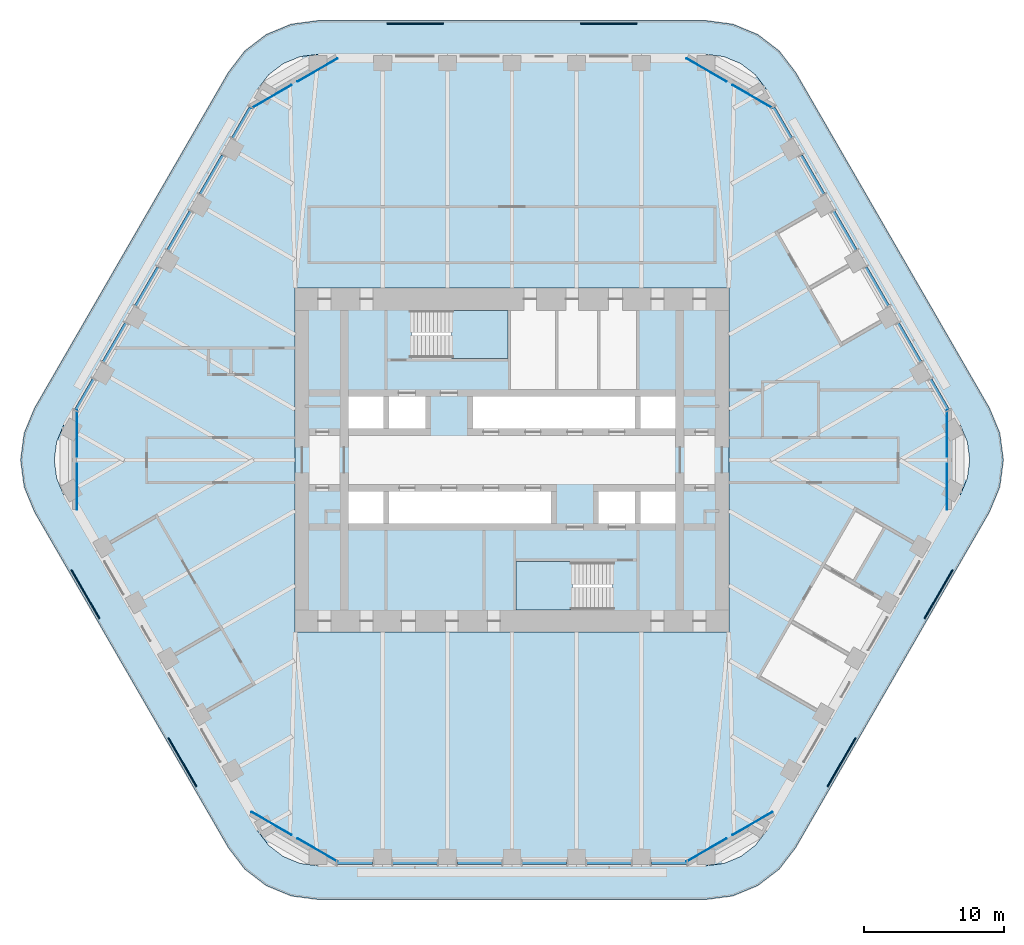
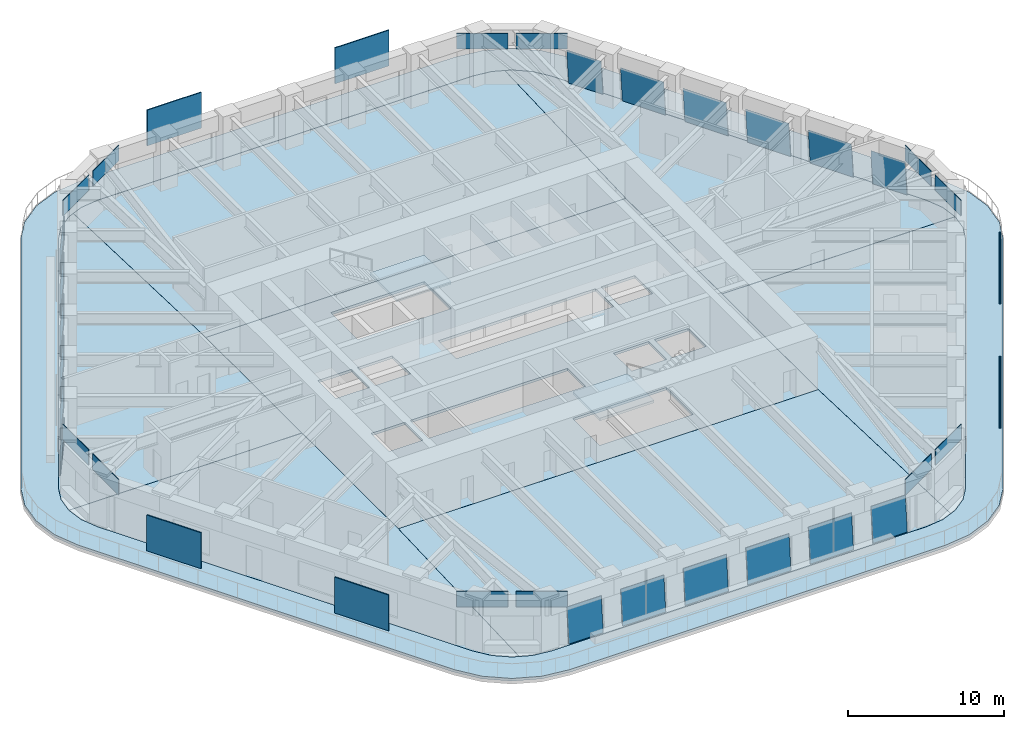
# One storey, part 13 of 20: 36 plates, 10 slabs, 20 elements without a shape of their own.
"""IFC4 building model written with IfcOpenShell, lengths in metres."""

from ifc_helpers import new_model, si_unit, direction, frame, origin, origin_2d, place, context, subcontext, project, spatial, polyline, rectangle, outline, extrude, material, layer, layer_set, type_object, element, aggregate, save


model = new_model("IFC4")

# Units and contexts
model_context = context("Model", 3, precision=1e-05, world=origin(), true_north=direction((0.0, 1.0)))
body_context = subcontext(model_context, "Body", "Model", "MODEL_VIEW")
ifc_project = project(units=[si_unit("LENGTHUNIT", "METRE"), si_unit("AREAUNIT", "SQUARE_METRE"), si_unit("VOLUMEUNIT", "CUBIC_METRE"), si_unit("PLANEANGLEUNIT", "RADIAN"), si_unit("MASSUNIT", "GRAM", prefix="KILO")], contexts=[model_context])

# Site, building, storey
site_placement = place(None, origin())
site = spatial("IfcSite", under=ifc_project, at=site_placement, CompositionType="ELEMENT")
building_placement = place(site_placement, origin())
building = spatial("IfcBuilding", under=site, at=building_placement, Name="Tarfa Lantern Tower", CompositionType="ELEMENT")
storey_placement = place(building_placement, frame((0.0, 0.0, 253.300048828125)))
storey = spatial("IfcBuildingStorey", under=building, at=storey_placement, Name="L57", CompositionType="ELEMENT", Elevation=253.300048828125)

# Slab
ifc_material_1 = material(Name="Concrete C40/50", Category="concrete")
ifc_layer_1 = layer(ifc_material_1, 0.199951171875)
ifc_layer_set_1 = layer_set([ifc_layer_1], Name="BS2 BALCONY SLAB 200")
slab_type_1 = type_object("IfcSlabType", Name="BS2 BALCONY SLAB 200", PredefinedType="FLOOR", material=ifc_layer_set_1)
slab_1_placement = place(storey_placement, frame((0.0, 0.0, -0.199951171875)))
element("IfcSlab", 1, at=slab_1_placement, inside=storey, type_object=slab_type_1, Name="Balcony L57", PredefinedType="FLOOR", context=body_context, shape_type="SweptSolid", body=[
    extrude(outline(polyline([(34.121337890625, 3.699951171875), (20.264892578125, 27.699951171875), (19.089111328125, 29.232666015625), (17.556396484375, 30.40869140625), (15.771728515625, 31.14794921875), (13.8564453125, 31.39990234375), (-13.8564453125, 31.39990234375), (-15.771728515625, 31.14794921875), (-17.556396484375, 30.40869140625), (-19.089111328125, 29.232666015625), (-20.264892578125, 27.699951171875), (-34.121337890625, 3.699951171875), (-34.860595703125, 1.915283203125), (-35.11279296875, 0.0), (-34.860595703125, -1.915283203125), (-34.121337890625, -3.699951171875), (-20.264892578125, -27.699951171875), (-19.089111328125, -29.232666015625), (-17.556396484375, -30.40869140625), (-15.771728515625, -31.14794921875), (-13.8564453125, -31.39990234375), (13.8564453125, -31.39990234375), (15.771728515625, -31.14794921875), (17.556396484375, -30.40869140625), (19.089111328125, -29.232666015625), (20.264892578125, -27.699951171875), (34.121337890625, -3.699951171875), (34.860595703125, -1.915283203125), (35.11279296875, 0.0), (34.860595703125, 1.915283203125), (34.121337890625, 3.699951171875)]), holes=[polyline([(32.04296875, 2.5), (18.1865234375, 26.5), (17.391845703125, 27.53564453125), (16.3564453125, 28.330078125), (15.150390625, 28.82958984375), (13.8564453125, 29.0), (-13.8564453125, 29.0), (-15.150390625, 28.82958984375), (-16.3564453125, 28.330078125), (-17.391845703125, 27.53564453125), (-18.1865234375, 26.5), (-32.04296875, 2.5), (-32.54248046875, 1.294189453125), (-32.712890625, 0.0), (-32.54248046875, -1.294189453125), (-32.04296875, -2.5), (-18.1865234375, -26.5), (-17.391845703125, -27.53564453125), (-16.3564453125, -28.330078125), (-15.150390625, -28.82958984375), (-13.8564453125, -29.0), (13.8564453125, -29.0), (15.150390625, -28.82958984375), (16.3564453125, -28.330078125), (17.391845703125, -27.53564453125), (18.1865234375, -26.5), (32.04296875, -2.5), (32.54248046875, -1.294189453125), (32.712890625, 0.0), (32.54248046875, 1.294189453125), (32.04296875, 2.5)])]), origin(), (0.0, 0.0, 1.0), 0.199951171875),
])

# Curtain wall, plate
ifc_material_2 = material(Name="Aluminium framed curtain wall", Category="aluminium")
curtain_wall_type = type_object("IfcCurtainWallType", Name="CW3 CANTED GLAZING HIGH ZONE 2800", PredefinedType="USERDEFINED", material=ifc_material_2)
curtain_wall_1_placement = place(storey_placement, origin())
curtain_wall_1 = element("IfcCurtainWall", 2, at=curtain_wall_1_placement, inside=storey, type_object=curtain_wall_type, Name="CW3 NE L57", ObjectType="CURTAIN WALL", PredefinedType="USERDEFINED")
ifc_material_3 = material(Name="Laminated double glazing", Category="glass")
ifc_layer_2 = layer(ifc_material_3, 0.028076171875)
ifc_layer_set_2 = layer_set([ifc_layer_2], Name="CWP1 DOUBLE GLAZED PANEL")
plate_type_1 = type_object("IfcPlateType", Name="CWP1 DOUBLE GLAZED PANEL", PredefinedType="CURTAIN_PANEL", material=ifc_layer_set_2)
plate_1_placement = place(storey_placement, frame((31.27392578125, 3.632080078125, 0.0), z_axis=(0.862597202966, 0.498009566603, 0.088952442392), x_axis=(-0.499991881437, 0.866030090981, 3.689153e-06)))
plate_1 = element("IfcPlate", 3, at=plate_1_placement, type_object=plate_type_1, Name="CW3 panel 1.1", PredefinedType="CURTAIN_PANEL", context=body_context, shape_type="SweptSolid", body=[
    extrude(outline(polyline([(0.0, 0.0), (2.5389220661234546, 1.3877787807814457e-17), (2.538926765762203, 2.7457383666676773), (0.0001267679691771074, 2.745757173712244), (0.0, 0.0)])), origin(), (0.0, 0.0, -1.0), 0.028076171875),
])
aggregate(curtain_wall_1, [plate_1])

curtain_wall_2_placement = place(storey_placement, origin())
curtain_wall_2 = element("IfcCurtainWall", 4, at=curtain_wall_2_placement, inside=storey, type_object=curtain_wall_type, Name="CW3 NE L57", ObjectType="CURTAIN WALL", PredefinedType="USERDEFINED")
plate_2_placement = place(storey_placement, frame((29.28955078125, 7.069091796875, 0.0), z_axis=(0.86260842552, 0.497990127551, 0.088952442822), x_axis=(-0.499972306885, 0.866041391816, 2.937194e-06)))
plate_2 = element("IfcPlate", 5, at=plate_2_placement, type_object=plate_type_1, Name="CW3 panel 1.1", PredefinedType="CURTAIN_PANEL", context=body_context, shape_type="SweptSolid", body=[
    extrude(outline(polyline([(0.0, 0.0), (3.1889598048081567, 1.3877787807814457e-17), (3.1889569298809066, 2.745738366670142), (0.00011918862423585502, 2.745757174051659), (0.0, 0.0)])), origin(), (0.0, 0.0, -1.0), 0.028076171875),
])
aggregate(curtain_wall_2, [plate_2])

curtain_wall_3_placement = place(storey_placement, origin())
curtain_wall_3 = element("IfcCurtainWall", 6, at=curtain_wall_3_placement, inside=storey, type_object=curtain_wall_type, Name="CW3 NE L57", ObjectType="CURTAIN WALL", PredefinedType="USERDEFINED")
plate_3_placement = place(storey_placement, frame((26.97998046875, 11.069091796875, 0.0), z_axis=(0.86260842552, 0.497990127551, 0.088952442822), x_axis=(-0.499971852533, 0.866041654117, -2.937306e-06)))
plate_3 = element("IfcPlate", 7, at=plate_3_placement, type_object=plate_type_1, Name="CW3 panel 1.1", PredefinedType="CURTAIN_PANEL", context=body_context, shape_type="SweptSolid", body=[
    extrude(outline(polyline([(0.0, 0.0), (3.1888377413121325, -1.3877787807814457e-17), (3.188940735790751, 2.745757174706863), (-1.9068961940963056e-05, 2.7457383666054302), (0.0, 0.0)])), origin(), (0.0, 0.0, -1.0), 0.028076171875),
])
aggregate(curtain_wall_3, [plate_3])

curtain_wall_4_placement = place(storey_placement, origin())
curtain_wall_4 = element("IfcCurtainWall", 8, at=curtain_wall_4_placement, inside=storey, type_object=curtain_wall_type, Name="CW3 NE L57", ObjectType="CURTAIN WALL", PredefinedType="USERDEFINED")
plate_4_placement = place(storey_placement, frame((24.670654296875, 15.069091796875, 0.0), z_axis=(0.862594869705, 0.498020429106, 0.088914244931), x_axis=(-0.500000789788, 0.8660249478, 0.0)))
plate_4 = element("IfcPlate", 9, at=plate_4_placement, type_object=plate_type_1, Name="CW3 panel 1.1", PredefinedType="CURTAIN_PANEL", context=body_context, shape_type="SweptSolid", body=[
    extrude(outline(polyline([(0.0, 0.0), (3.1889598065466314, 4.163336342344337e-17), (3.1889569281424333, 2.7457383686892407), (-2.8784041983250337e-06, 2.7457383686892407), (0.0, 0.0)])), origin(), (0.0, 0.0, -1.0), 0.028076171875),
])
aggregate(curtain_wall_4, [plate_4])

curtain_wall_5_placement = place(storey_placement, origin())
curtain_wall_5 = element("IfcCurtainWall", 10, at=curtain_wall_5_placement, inside=storey, type_object=curtain_wall_type, Name="CW3 NE L57", ObjectType="CURTAIN WALL", PredefinedType="USERDEFINED")
plate_5_placement = place(storey_placement, frame((22.361328125, 19.069091796875, 0.0), z_axis=(0.86260842552, 0.497990127551, 0.088952442822), x_axis=(-0.499972306885, 0.866041391816, 2.937194e-06)))
plate_5 = element("IfcPlate", 11, at=plate_5_placement, type_object=plate_type_1, Name="CW3 panel 1.1", PredefinedType="CURTAIN_PANEL", context=body_context, shape_type="SweptSolid", body=[
    extrude(outline(polyline([(0.0, 0.0), (3.1889598048081567, 1.3877787807814457e-17), (3.1889569298809066, 2.745738366670142), (0.00011918862423585502, 2.745757174051659), (0.0, 0.0)])), origin(), (0.0, 0.0, -1.0), 0.028076171875),
])
aggregate(curtain_wall_5, [plate_5])

curtain_wall_6_placement = place(storey_placement, origin())
curtain_wall_6 = element("IfcCurtainWall", 12, at=curtain_wall_6_placement, inside=storey, type_object=curtain_wall_type, Name="CW3 NE L57", ObjectType="CURTAIN WALL", PredefinedType="USERDEFINED")
plate_6_placement = place(storey_placement, frame((20.0517578125, 23.069091796875, 0.0), z_axis=(0.86262089324, 0.497975352427, 0.088914244756), x_axis=(-0.499955533855, 0.866051074803, 0.0)))
plate_6 = element("IfcPlate", 13, at=plate_6_placement, type_object=plate_type_1, Name="CW3 panel 1.1", PredefinedType="CURTAIN_PANEL", context=body_context, shape_type="SweptSolid", body=[
    extrude(outline(polyline([(0.0, 0.0), (2.538800000046309, 1.3877787807814457e-17), (2.538784364039763, 2.745738368646229), (-1.5636006546276837e-05, 2.745738368646229), (0.0, 0.0)])), origin(), (0.0, 0.0, -1.0), 0.028076171875),
])
aggregate(curtain_wall_6, [plate_6])

curtain_wall_7_placement = place(storey_placement, origin())
curtain_wall_7 = element("IfcCurtainWall", 14, at=curtain_wall_7_placement, inside=storey, type_object=curtain_wall_type, Name="CW3 NW L57", ObjectType="CURTAIN WALL", PredefinedType="USERDEFINED")
plate_7_placement = place(storey_placement, frame((-18.782470703125, 25.267822265625, 0.0), z_axis=(-0.86262089324, 0.497975352427, 0.088914244756), x_axis=(-0.499955533855, -0.866051074803, 0.0)))
plate_7 = element("IfcPlate", 15, at=plate_7_placement, type_object=plate_type_1, Name="CW3 panel 1.1", PredefinedType="CURTAIN_PANEL", context=body_context, shape_type="SweptSolid", body=[
    extrude(outline(polyline([(0.0, 0.0), (2.538800000046309, -1.3877787807814457e-17), (2.5388156360528553, 2.745738368646229), (1.5636006546276837e-05, 2.745738368646229), (0.0, 0.0)])), origin(), (0.0, 0.0, -1.0), 0.028076171875),
])
aggregate(curtain_wall_7, [plate_7])

curtain_wall_8_placement = place(storey_placement, origin())
curtain_wall_8 = element("IfcCurtainWall", 16, at=curtain_wall_8_placement, inside=storey, type_object=curtain_wall_type, Name="CW3 NW L57", ObjectType="CURTAIN WALL", PredefinedType="USERDEFINED")
plate_8_placement = place(storey_placement, frame((-20.766845703125, 21.830810546875, 0.0), z_axis=(-0.86260842552, 0.497990127551, 0.088952442822), x_axis=(-0.499972306885, -0.866041391816, -2.937194e-06)))
plate_8 = element("IfcPlate", 17, at=plate_8_placement, type_object=plate_type_1, Name="CW3 panel 1.1", PredefinedType="CURTAIN_PANEL", context=body_context, shape_type="SweptSolid", body=[
    extrude(outline(polyline([(0.0, 0.0), (3.1889598048081567, -1.3877787807814457e-17), (3.1888406161839207, 2.745757174051659), (2.874927249771626e-06, 2.745738366670142), (0.0, 0.0)])), origin(), (0.0, 0.0, -1.0), 0.028076171875),
])
aggregate(curtain_wall_8, [plate_8])

curtain_wall_9_placement = place(storey_placement, origin())
curtain_wall_9 = element("IfcCurtainWall", 18, at=curtain_wall_9_placement, inside=storey, type_object=curtain_wall_type, Name="CW3 NW L57", ObjectType="CURTAIN WALL", PredefinedType="USERDEFINED")
plate_9_placement = place(storey_placement, frame((-23.076171875, 17.830810546875, 0.0), z_axis=(-0.862594869705, 0.498020429106, 0.088914244931), x_axis=(-0.500000789788, -0.8660249478, 0.0)))
plate_9 = element("IfcPlate", 19, at=plate_9_placement, type_object=plate_type_1, Name="CW3 panel 1.1", PredefinedType="CURTAIN_PANEL", context=body_context, shape_type="SweptSolid", body=[
    extrude(outline(polyline([(0.0, 0.0), (3.1889598065466314, -4.163336342344337e-17), (3.1889626849508295, 2.7457383686892407), (2.8784041983250337e-06, 2.7457383686892407), (0.0, 0.0)])), origin(), (0.0, 0.0, -1.0), 0.028076171875),
])
aggregate(curtain_wall_9, [plate_9])

curtain_wall_10_placement = place(storey_placement, origin())
curtain_wall_10 = element("IfcCurtainWall", 20, at=curtain_wall_10_placement, inside=storey, type_object=curtain_wall_type, Name="CW3 NW L57", ObjectType="CURTAIN WALL", PredefinedType="USERDEFINED")
plate_10_placement = place(storey_placement, frame((-25.3857421875, 13.830810546875, 0.0), z_axis=(-0.86260842552, 0.497990127551, 0.088952442822), x_axis=(-0.499971852533, -0.866041654117, 2.937306e-06)))
plate_10 = element("IfcPlate", 21, at=plate_10_placement, type_object=plate_type_1, Name="CW3 panel 1.1", PredefinedType="CURTAIN_PANEL", context=body_context, shape_type="SweptSolid", body=[
    extrude(outline(polyline([(0.0, 0.0), (3.1888377413121325, 1.3877787807814457e-17), (3.1888568102740735, 2.7457383666054302), (-0.00010299447861886726, 2.745757174706863), (0.0, 0.0)])), origin(), (0.0, 0.0, -1.0), 0.028076171875),
])
aggregate(curtain_wall_10, [plate_10])

curtain_wall_11_placement = place(storey_placement, origin())
curtain_wall_11 = element("IfcCurtainWall", 22, at=curtain_wall_11_placement, inside=storey, type_object=curtain_wall_type, Name="CW3 NW L57", ObjectType="CURTAIN WALL", PredefinedType="USERDEFINED")
plate_11_placement = place(storey_placement, frame((-27.695068359375, 9.830810546875, 0.0), z_axis=(-0.86260842552, 0.497990127551, 0.088952442822), x_axis=(-0.499972306885, -0.866041391816, -2.937194e-06)))
plate_11 = element("IfcPlate", 23, at=plate_11_placement, type_object=plate_type_1, Name="CW3 panel 1.1", PredefinedType="CURTAIN_PANEL", context=body_context, shape_type="SweptSolid", body=[
    extrude(outline(polyline([(0.0, 0.0), (3.1889598048081567, -1.3877787807814457e-17), (3.1888406161839207, 2.745757174051659), (2.874927249771626e-06, 2.745738366670142), (0.0, 0.0)])), origin(), (0.0, 0.0, -1.0), 0.028076171875),
])
aggregate(curtain_wall_11, [plate_11])

curtain_wall_12_placement = place(storey_placement, origin())
curtain_wall_12 = element("IfcCurtainWall", 24, at=curtain_wall_12_placement, inside=storey, type_object=curtain_wall_type, Name="CW3 NW L57", ObjectType="CURTAIN WALL", PredefinedType="USERDEFINED")
plate_12_placement = place(storey_placement, frame((-30.00439453125, 5.830810546875, 0.0), z_axis=(-0.862597202966, 0.498009566603, 0.088952442392), x_axis=(-0.499991881437, -0.866030090981, -3.689153e-06)))
plate_12 = element("IfcPlate", 25, at=plate_12_placement, type_object=plate_type_1, Name="CW3 panel 1.1", PredefinedType="CURTAIN_PANEL", context=body_context, shape_type="SweptSolid", body=[
    extrude(outline(polyline([(0.0, 0.0), (2.5389220661234546, -1.3877787807814457e-17), (2.538795298154278, 2.745757173712244), (-4.69963874822574e-06, 2.7457383666676773), (0.0, 0.0)])), origin(), (0.0, 0.0, -1.0), 0.028076171875),
])
aggregate(curtain_wall_12, [plate_12])

curtain_wall_13_placement = place(storey_placement, origin())
curtain_wall_13 = element("IfcCurtainWall", 26, at=curtain_wall_13_placement, inside=storey, type_object=curtain_wall_type, Name="CW3 S L57", ObjectType="CURTAIN WALL", PredefinedType="USERDEFINED")
plate_13_placement = place(storey_placement, frame((-12.491455078125, -28.89990234375, 0.0), z_axis=(0.0, -0.996039111646, 0.08891618565), x_axis=(1.0, 0.0, 0.0)))
plate_13 = element("IfcPlate", 27, at=plate_13_placement, type_object=plate_type_1, Name="CW3 panel 1.1", PredefinedType="CURTAIN_PANEL", context=body_context, shape_type="SweptSolid", body=[
    extrude(outline(polyline([(0.0, 0.0), (2.538818359375, 0.0), (2.538818359375, 2.74573884626796), (0.0, 2.74573884626796), (0.0, 0.0)])), origin(), (0.0, 0.0, -1.0), 0.028076171875),
])
aggregate(curtain_wall_13, [plate_13])

curtain_wall_14_placement = place(storey_placement, origin())
curtain_wall_14 = element("IfcCurtainWall", 28, at=curtain_wall_14_placement, inside=storey, type_object=curtain_wall_type, Name="CW3 S L57", ObjectType="CURTAIN WALL", PredefinedType="USERDEFINED")
plate_14_placement = place(storey_placement, frame((-8.522705078125, -28.89990234375, 0.0), z_axis=(0.0, -0.996039111646, 0.08891618565), x_axis=(1.0, 0.0, 0.0)))
plate_14 = element("IfcPlate", 29, at=plate_14_placement, type_object=plate_type_1, Name="CW3 panel 1.1", PredefinedType="CURTAIN_PANEL", context=body_context, shape_type="SweptSolid", body=[
    extrude(outline(polyline([(0.0, 0.0), (3.18896484375, 0.0), (3.18896484375, 2.74573884626796), (0.0, 2.74573884626796), (0.0, 0.0)])), origin(), (0.0, 0.0, -1.0), 0.028076171875),
])
aggregate(curtain_wall_14, [plate_14])

curtain_wall_15_placement = place(storey_placement, origin())
curtain_wall_15 = element("IfcCurtainWall", 30, at=curtain_wall_15_placement, inside=storey, type_object=curtain_wall_type, Name="CW3 S L57", ObjectType="CURTAIN WALL", PredefinedType="USERDEFINED")
plate_15_placement = place(storey_placement, frame((-3.90380859375, -28.89990234375, 0.0), z_axis=(0.0, -0.996039111646, 0.08891618565), x_axis=(1.0, 0.0, 0.0)))
plate_15 = element("IfcPlate", 31, at=plate_15_placement, type_object=plate_type_1, Name="CW3 panel 1.1", PredefinedType="CURTAIN_PANEL", context=body_context, shape_type="SweptSolid", body=[
    extrude(outline(polyline([(0.0, 0.0), (3.188720703125, 0.0), (3.188720703125, 2.74573884626796), (0.0, 2.74573884626796), (0.0, 0.0)])), origin(), (0.0, 0.0, -1.0), 0.028076171875),
])
aggregate(curtain_wall_15, [plate_15])

curtain_wall_16_placement = place(storey_placement, origin())
curtain_wall_16 = element("IfcCurtainWall", 32, at=curtain_wall_16_placement, inside=storey, type_object=curtain_wall_type, Name="CW3 S L57", ObjectType="CURTAIN WALL", PredefinedType="USERDEFINED")
plate_16_placement = place(storey_placement, frame((0.715087890625, -28.89990234375, 0.0), z_axis=(0.0, -0.996039111646, 0.08891618565), x_axis=(1.0, 0.0, 0.0)))
plate_16 = element("IfcPlate", 33, at=plate_16_placement, type_object=plate_type_1, Name="CW3 panel 1.1", PredefinedType="CURTAIN_PANEL", context=body_context, shape_type="SweptSolid", body=[
    extrude(outline(polyline([(0.0, 0.0), (3.188720703125, 0.0), (3.188720703125, 2.74573884626796), (0.0, 2.74573884626796), (0.0, 0.0)])), origin(), (0.0, 0.0, -1.0), 0.028076171875),
])
aggregate(curtain_wall_16, [plate_16])

curtain_wall_17_placement = place(storey_placement, origin())
curtain_wall_17 = element("IfcCurtainWall", 34, at=curtain_wall_17_placement, inside=storey, type_object=curtain_wall_type, Name="CW3 S L57", ObjectType="CURTAIN WALL", PredefinedType="USERDEFINED")
plate_17_placement = place(storey_placement, frame((5.333740234375, -28.89990234375, 0.0), z_axis=(0.0, -0.996039111646, 0.08891618565), x_axis=(1.0, 0.0, 0.0)))
plate_17 = element("IfcPlate", 35, at=plate_17_placement, type_object=plate_type_1, Name="CW3 panel 1.1", PredefinedType="CURTAIN_PANEL", context=body_context, shape_type="SweptSolid", body=[
    extrude(outline(polyline([(0.0, 0.0), (3.18896484375, 0.0), (3.18896484375, 2.74573884626796), (0.0, 2.74573884626796), (0.0, 0.0)])), origin(), (0.0, 0.0, -1.0), 0.028076171875),
])
aggregate(curtain_wall_17, [plate_17])

curtain_wall_18_placement = place(storey_placement, origin())
curtain_wall_18 = element("IfcCurtainWall", 36, at=curtain_wall_18_placement, inside=storey, type_object=curtain_wall_type, Name="CW3 S L57", ObjectType="CURTAIN WALL", PredefinedType="USERDEFINED")
plate_18_placement = place(storey_placement, frame((9.95263671875, -28.89990234375, 0.0), z_axis=(0.0, -0.996039111646, 0.08891618565), x_axis=(1.0, 0.0, 0.0)))
plate_18 = element("IfcPlate", 37, at=plate_18_placement, type_object=plate_type_1, Name="CW3 panel 1.1", PredefinedType="CURTAIN_PANEL", context=body_context, shape_type="SweptSolid", body=[
    extrude(outline(polyline([(0.0, 0.0), (2.538818359375, 0.0), (2.538818359375, 2.74573884626796), (0.0, 2.74573884626796), (0.0, 0.0)])), origin(), (0.0, 0.0, -1.0), 0.028076171875),
])
aggregate(curtain_wall_18, [plate_18])

# Slabs
ifc_layer_3 = layer(ifc_material_1, 0.199951171875)
ifc_layer_set_3 = layer_set([ifc_layer_3], Name="FS1 FLOOR SLAB 200")
slab_type_2 = type_object("IfcSlabType", Name="FS1 FLOOR SLAB 200", PredefinedType="FLOOR", material=ifc_layer_set_3)
slab_2_placement = place(storey_placement, frame((0.0, 0.0, -0.199951171875)))
element("IfcSlab", 38, at=slab_2_placement, inside=storey, type_object=slab_type_2, Name="Floor slab L57", PredefinedType="FLOOR", context=body_context, shape_type="SweptSolid", body=[
    extrude(outline(polyline([(-15.5, -12.300048828125), (15.5, -12.300048828125), (15.5, 12.300048828125), (-15.5, 12.300048828125), (-15.5, -12.300048828125)]), holes=[polyline([(-11.699951171875, 2.25), (-9.199951171875, 2.25), (-9.199951171875, 4.550048828125), (-11.699951171875, 4.550048828125), (-11.699951171875, 2.25)]), polyline([(-8.800048828125, 2.25), (-6.199951171875, 2.25), (-6.199951171875, 4.550048828125), (-8.800048828125, 4.550048828125), (-8.800048828125, 2.25)]), polyline([(-2.800048828125, 2.25), (8.800048828125, 2.25), (8.800048828125, 4.550048828125), (-2.800048828125, 4.550048828125), (-2.800048828125, 2.25)]), polyline([(9.199951171875, 2.25), (11.699951171875, 2.25), (11.699951171875, 4.550048828125), (9.199951171875, 4.550048828125), (9.199951171875, 2.25)]), polyline([(11.699951171875, -2.25), (9.199951171875, -2.25), (9.199951171875, -4.550048828125), (11.699951171875, -4.550048828125), (11.699951171875, -2.25)]), polyline([(8.800048828125, -2.25), (6.199951171875, -2.25), (6.199951171875, -4.550048828125), (8.800048828125, -4.550048828125), (8.800048828125, -2.25)]), polyline([(2.800048828125, -2.25), (-8.800048828125, -2.25), (-8.800048828125, -4.550048828125), (2.800048828125, -4.550048828125), (2.800048828125, -2.25)]), polyline([(-9.199951171875, -2.25), (-11.699951171875, -2.25), (-11.699951171875, -4.550048828125), (-9.199951171875, -4.550048828125), (-9.199951171875, -2.25)]), polyline([(-7.199951171875, 7.25), (-0.300048828125, 7.25), (-0.300048828125, 10.699951171875), (-7.199951171875, 10.699951171875), (-7.199951171875, 7.25)]), polyline([(7.199951171875, -7.25), (0.300048828125, -7.25), (0.300048828125, -10.699951171875), (7.199951171875, -10.699951171875), (7.199951171875, -7.25)])]), origin(), (0.0, 0.0, 1.0), 0.199951171875),
])
slab_3_placement = place(storey_placement, frame((0.0, 0.0, -0.199951171875)))
element("IfcSlab", 39, at=slab_3_placement, inside=storey, type_object=slab_type_2, Name="Floor slab L57 NE bay", PredefinedType="FLOOR", context=body_context, shape_type="SweptSolid", body=[
    extrude(outline(polyline([(32.041259765625, 2.4990234375), (18.184814453125, 26.498779296875), (17.390625, 27.5341796875), (16.35546875, 28.328369140625), (15.927490234375, 28.505615234375), (15.501953125, 12.300048828125), (15.501953125, 0.001953125), (32.71044921875, 0.001953125), (32.54052734375, 1.29345703125), (32.041259765625, 2.4990234375)])), origin(), (0.0, 0.0, 1.0), 0.199951171875),
])
slab_4_placement = place(storey_placement, frame((0.0, 0.0, -0.199951171875)))
element("IfcSlab", 40, at=slab_4_placement, inside=storey, type_object=slab_type_2, Name="Floor slab L57 N bay", PredefinedType="FLOOR", context=body_context, shape_type="SweptSolid", body=[
    extrude(outline(polyline([(-15.498046875, 12.302001953125), (15.498046875, 12.302001953125), (15.923583984375, 28.50732421875), (15.14990234375, 28.82763671875), (13.856201171875, 28.998046875), (-13.856201171875, 28.998046875), (-15.14990234375, 28.82763671875), (-15.923583984375, 28.50732421875), (-15.498046875, 12.302001953125)])), origin(), (0.0, 0.0, 1.0), 0.199951171875),
])
slab_5_placement = place(storey_placement, frame((0.0, 0.0, -0.199951171875)))
element("IfcSlab", 41, at=slab_5_placement, inside=storey, type_object=slab_type_2, Name="Floor slab L57 NW bay", PredefinedType="FLOOR", context=body_context, shape_type="SweptSolid", body=[
    extrude(outline(polyline([(-15.501953125, 0.001953125), (-15.501953125, 12.300048828125), (-15.927490234375, 28.505615234375), (-16.35546875, 28.328369140625), (-17.390625, 27.5341796875), (-18.184814453125, 26.498779296875), (-32.041259765625, 2.4990234375), (-32.54052734375, 1.29345703125), (-32.71044921875, 0.001953125), (-15.501953125, 0.001953125)])), origin(), (0.0, 0.0, 1.0), 0.199951171875),
])
slab_6_placement = place(storey_placement, frame((0.0, 0.0, -0.199951171875)))
element("IfcSlab", 42, at=slab_6_placement, inside=storey, type_object=slab_type_2, Name="Floor slab L57 SW bay", PredefinedType="FLOOR", context=body_context, shape_type="SweptSolid", body=[
    extrude(outline(polyline([(-15.501953125, -12.300048828125), (-15.501953125, -0.001953125), (-32.71044921875, -0.001953125), (-32.54052734375, -1.29345703125), (-32.041259765625, -2.4990234375), (-18.184814453125, -26.498779296875), (-17.390625, -27.5341796875), (-16.35546875, -28.328369140625), (-15.927490234375, -28.505615234375), (-15.501953125, -12.300048828125)])), origin(), (0.0, 0.0, 1.0), 0.199951171875),
])
slab_7_placement = place(storey_placement, frame((0.0, 0.0, -0.199951171875)))
element("IfcSlab", 43, at=slab_7_placement, inside=storey, type_object=slab_type_2, Name="Floor slab L57 S bay", PredefinedType="FLOOR", context=body_context, shape_type="SweptSolid", body=[
    extrude(outline(polyline([(15.498046875, -12.302001953125), (-15.498046875, -12.302001953125), (-15.923583984375, -28.50732421875), (-15.14990234375, -28.82763671875), (-13.856201171875, -28.998046875), (13.856201171875, -28.998046875), (15.14990234375, -28.82763671875), (15.923583984375, -28.50732421875), (15.498046875, -12.302001953125)])), origin(), (0.0, 0.0, 1.0), 0.199951171875),
])
slab_8_placement = place(storey_placement, frame((0.0, 0.0, -0.199951171875)))
element("IfcSlab", 44, at=slab_8_placement, inside=storey, type_object=slab_type_2, Name="Floor slab L57 SE bay", PredefinedType="FLOOR", context=body_context, shape_type="SweptSolid", body=[
    extrude(outline(polyline([(15.501953125, -0.001953125), (15.501953125, -12.300048828125), (15.927490234375, -28.505615234375), (16.35546875, -28.328369140625), (17.390625, -27.5341796875), (18.184814453125, -26.498779296875), (32.041259765625, -2.4990234375), (32.54052734375, -1.29345703125), (32.71044921875, -0.001953125), (15.501953125, -0.001953125)])), origin(), (0.0, 0.0, 1.0), 0.199951171875),
])

# Plates
ifc_material_4 = material(Name="Aluminium fascia panel", Category="aluminium")
ifc_layer_4 = layer(ifc_material_4, 0.050048828125)
ifc_layer_set_4 = layer_set([ifc_layer_4], Name="LF1 LOGGIA HEAD FASCIA 50")
plate_type_2 = type_object("IfcPlateType", Name="LF1 LOGGIA HEAD FASCIA 50", PredefinedType="USERDEFINED", material=ifc_layer_set_4)
for number, where, z_axis, x_axis, name in (
    (45, (17.18994140625, 25.972900390625, 2.7998046875), (0.0, 0.0, 1.0), (-0.866025403784, 0.5, 0.0), "Garden head fascia NE-N"),
    (46, (13.898193359375, 27.873291015625, 2.7998046875), (0.0, 0.0, 1.0), (-0.866025403784, 0.5, 0.0), "Garden head fascia NE-N"),
    (47, (-13.898193359375, 27.873291015625, 2.7998046875), (0.0, 0.0, 1.0), (-0.866025403784, -0.5, 0.0), "Garden head fascia N-NW"),
    (48, (-17.18994140625, 25.972900390625, 2.7998046875), (0.0, 0.0, 1.0), (-0.866025403784, -0.5, 0.0), "Garden head fascia N-NW"),
    (49, (-31.088134765625, 1.900390625, 2.7998046875), (0.0, 0.0, 1.0), (0.0, -1.0, 0.0), "Garden head fascia NW-SW"),
    (50, (-31.088134765625, -1.900390625, 2.7998046875), (0.0, 0.0, 1.0), (0.0, -1.0, 0.0), "Garden head fascia NW-SW"),
    (51, (-17.18994140625, -25.972900390625, 2.7998046875), (0.0, 0.0, 1.0), (0.866025403784, -0.5, 0.0), "Garden head fascia SW-S"),
    (52, (-13.898193359375, -27.873291015625, 2.7998046875), (0.0, 0.0, 1.0), (0.866025403784, -0.5, 0.0), "Garden head fascia SW-S"),
    (53, (13.898193359375, -27.873291015625, 2.7998046875), (0.0, 0.0, 1.0), (0.866025403784, 0.5, 0.0), "Garden head fascia S-SE"),
    (54, (17.18994140625, -25.972900390625, 2.7998046875), (0.0, 0.0, 1.0), (0.866025403784, 0.5, 0.0), "Garden head fascia S-SE"),
    (55, (31.088134765625, -1.900390625, 2.7998046875), (0.0, 0.0, 1.0), (0.0, 1.0, 0.0), "Garden head fascia SE-NE"),
    (56, (31.088134765625, 1.900390625, 2.7998046875), (0.0, 0.0, 1.0), (0.0, 1.0, 0.0), "Garden head fascia SE-NE"),
):
    element("IfcPlate", number, at=place(storey_placement, frame(where, z_axis=z_axis, x_axis=x_axis)), inside=storey, type_object=plate_type_2, Name=name, ObjectType="FASCIA", PredefinedType="USERDEFINED", context=body_context, shape_type="SweptSolid", body=[
        extrude(rectangle(XDim=3.30078125, YDim=0.050048828125, at=origin_2d()), origin(), (0.0, 0.0, 1.0), 1.199951171875),
    ])
ifc_material_5 = material(Name="Perforated limestone screen", Category="masonry")
ifc_layer_5 = layer(ifc_material_5, 0.080078125)
ifc_layer_set_5 = layer_set([ifc_layer_5], Name="SC1 STONE SCREEN 80")
plate_type_3 = type_object("IfcPlateType", Name="SC1 STONE SCREEN 80", PredefinedType="USERDEFINED", material=ifc_layer_set_5)
for number, where, z_axis, x_axis, name in (
    (57, (6.92822265625, 31.199951171875, 1.19970703125), (0.0, 0.0, 1.0), (-1.0, 0.0, 0.0), "Stone screen N 1"),
    (58, (-6.92822265625, 31.199951171875, 1.19970703125), (0.0, 0.0, 1.0), (-1.0, 0.0, 0.0), "Stone screen N 2"),
    (59, (-30.484130859375, -9.60009765625, 1.19970703125), (0.0, 0.0, 1.0), (0.5, -0.866025403784, 0.0), "Stone screen SW 1"),
    (60, (-23.555908203125, -21.60009765625, 1.19970703125), (0.0, 0.0, 1.0), (0.5, -0.866025403784, 0.0), "Stone screen SW 2"),
    (61, (23.555908203125, -21.60009765625, 1.19970703125), (0.0, 0.0, 1.0), (0.5, 0.866025403784, 0.0), "Stone screen SE 1"),
    (62, (30.484130859375, -9.60009765625, 1.19970703125), (0.0, 0.0, 1.0), (0.5, 0.866025403784, 0.0), "Stone screen SE 2"),
):
    element("IfcPlate", number, at=place(storey_placement, frame(where, z_axis=z_axis, x_axis=x_axis)), inside=storey, type_object=plate_type_3, Name=name, ObjectType="SCREEN", PredefinedType="USERDEFINED", context=body_context, shape_type="SweptSolid", body=[
        extrude(rectangle(XDim=4.0, YDim=0.080078125, at=origin_2d()), origin(), (0.0, 0.0, 1.0), 2.800048828125),
    ])

# Stair, slab
stair_type = type_object("IfcStairType", Name="ST-T10 HALF-TURN STAIR 4200 RISE", PredefinedType="HALF_TURN_STAIR", material=ifc_material_1)
stair_1_placement = place(storey_placement, origin())
stair_1 = element("IfcStair", 63, at=stair_1_placement, inside=storey, type_object=stair_type, Name="Stair ST1", PredefinedType="HALF_TURN_STAIR")
ifc_layer_6 = layer(ifc_material_1, 0.199951171875)
ifc_layer_set_6 = layer_set([ifc_layer_6], Name="SL1 STAIR LANDING 200")
slab_type_3 = type_object("IfcSlabType", Name="SL1 STAIR LANDING 200", PredefinedType="LANDING", material=ifc_layer_set_6)
slab_9_placement = place(storey_placement, frame((0.0, 0.0, 1.89990234375)))
slab_9 = element("IfcSlab", 64, at=slab_9_placement, type_object=slab_type_3, Name="ST1 landing 1", PredefinedType="LANDING", context=body_context, shape_type="SweptSolid", body=[
    extrude(outline(polyline([(-4.320068359375, 7.25), (-0.300048828125, 7.25), (-0.300048828125, 10.699951171875), (-4.320068359375, 10.699951171875), (-4.320068359375, 7.25)])), origin(), (0.0, 0.0, 1.0), 0.199951171875),
])
aggregate(stair_1, [slab_9])

stair_2_placement = place(storey_placement, origin())
stair_2 = element("IfcStair", 65, at=stair_2_placement, inside=storey, type_object=stair_type, Name="Stair ST2", PredefinedType="HALF_TURN_STAIR")
slab_10_placement = place(storey_placement, frame((0.0, 0.0, 1.89990234375)))
slab_10 = element("IfcSlab", 66, at=slab_10_placement, type_object=slab_type_3, Name="ST2 landing 1", PredefinedType="LANDING", context=body_context, shape_type="SweptSolid", body=[
    extrude(outline(polyline([(4.320068359375, -7.25), (0.300048828125, -7.25), (0.300048828125, -10.699951171875), (4.320068359375, -10.699951171875), (4.320068359375, -7.25)])), origin(), (0.0, 0.0, 1.0), 0.199951171875),
])
aggregate(stair_2, [slab_10])

save(model, "model.ifc")
